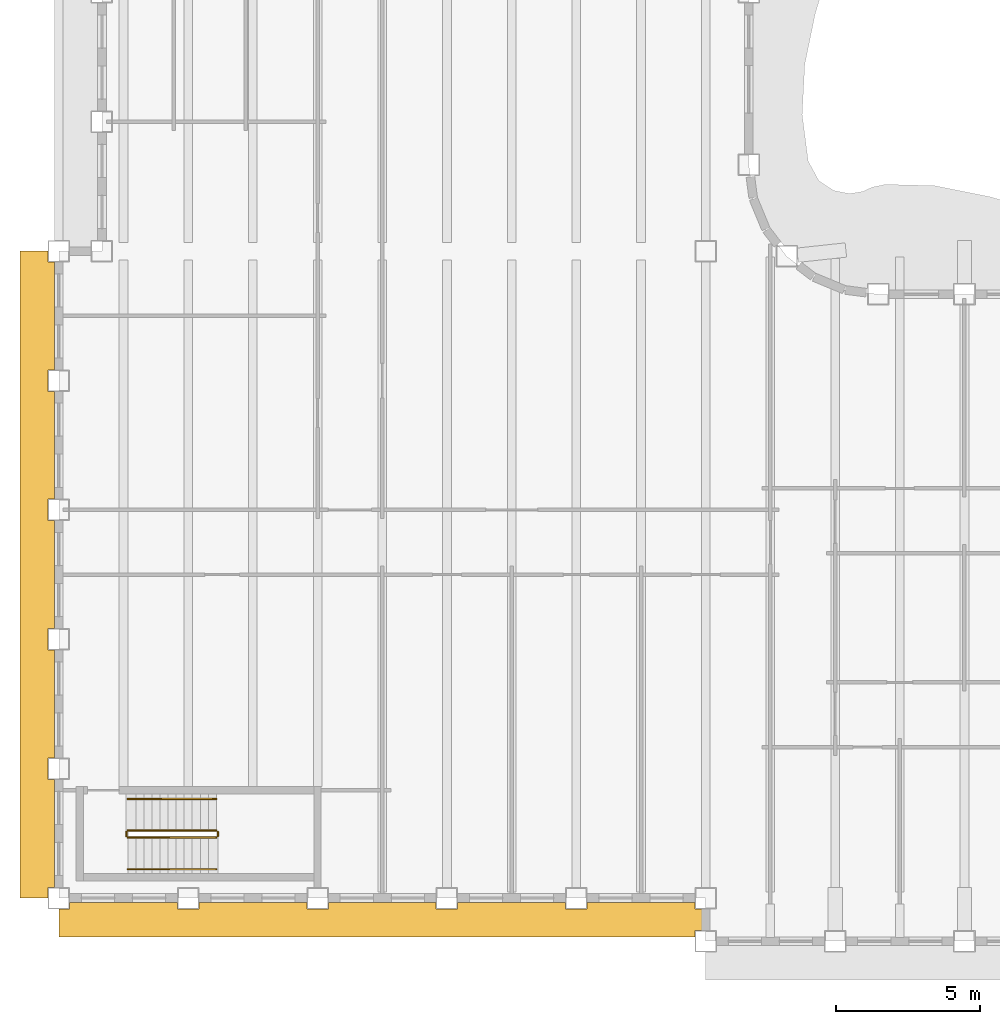
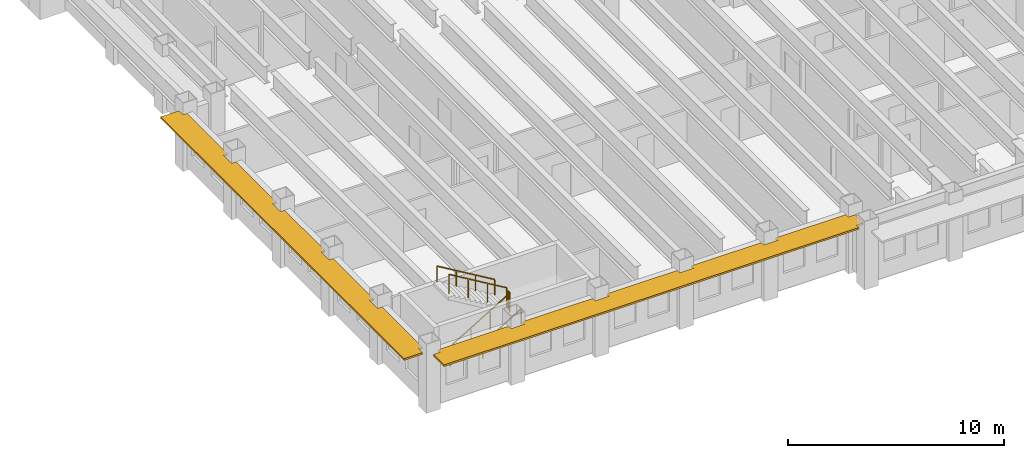
# One storey, part 11 of 16: 6 railings, 2 shading devices.
"""IFC4 building model written with IfcOpenShell, lengths in metres."""

from ifc_helpers import new_model, si_unit, direction, frame, origin, origin_2d, place, context, subcontext, project, spatial, polyline, rectangle, outline, extrude, material, layer, layer_set, type_object, element, save


model = new_model("IFC4")

# Units and contexts
model_context = context("Model", 3, precision=1e-05, world=origin(), true_north=direction((0.0, 1.0)))
body_context = subcontext(model_context, "Body", "Model", "MODEL_VIEW")
ifc_project = project(units=[si_unit("LENGTHUNIT", "METRE"), si_unit("AREAUNIT", "SQUARE_METRE"), si_unit("VOLUMEUNIT", "CUBIC_METRE"), si_unit("PLANEANGLEUNIT", "RADIAN"), si_unit("MASSUNIT", "GRAM", prefix="KILO")], contexts=[model_context])

# Site, building, storey
site_placement = place(None, origin())
site = spatial("IfcSite", under=ifc_project, at=site_placement, CompositionType="ELEMENT")
building_placement = place(site_placement, origin())
building = spatial("IfcBuilding", under=site, at=building_placement, Name="Sennacour Bend Tower", CompositionType="ELEMENT")
storey_placement = place(building_placement, frame((0.0, 0.0, 239.0)))
storey = spatial("IfcBuildingStorey", under=building, at=storey_placement, Name="L55", CompositionType="ELEMENT", Elevation=239.0)

# Railings
ifc_material_1 = material(Name="Stainless steel", Category="steel")
railing_type_1 = type_object("IfcRailingType", Name="RL-GUARD-1100", PredefinedType="GUARDRAIL", material=ifc_material_1)
railing_1_placement = place(storey_placement, frame((2.39990234375, 2.10009765625, 0.166748046875)))
element("IfcRailing", 1, at=railing_1_placement, inside=storey, type_object=railing_type_1, Name="L55 SK1 stair guard 1", PredefinedType="GUARDRAIL", context=body_context, shape_type="SweptSolid", body=[
    extrude(rectangle(XDim=0.048095703125, YDim=0.048095703125, at=origin_2d()), frame((0.0, 0.0, 1.076171875), z_axis=(0.859308565015, 0.0, 0.511457515432), x_axis=(0.0, 1.0, 0.0)), (0.0, 0.0, 1.0), 3.58447265625),
    extrude(rectangle(XDim=0.0419921875, YDim=0.0419921875, at=origin_2d()), origin(), (0.0, 0.0, 1.0), 1.052001953125),
    extrude(rectangle(XDim=0.0419921875, YDim=0.0419921875, at=origin_2d()), frame((1.026611328125, 0.0, 0.611083984375)), (0.0, 0.0, 1.0), 1.052001953125),
    extrude(rectangle(XDim=0.0419921875, YDim=0.0419921875, at=origin_2d()), frame((2.053466796875, 0.0, 1.22216796875)), (0.0, 0.0, 1.0), 1.052001953125),
    extrude(rectangle(XDim=0.0419921875, YDim=0.0419921875, at=origin_2d()), frame((3.080078125, 0.0, 1.833251953125)), (0.0, 0.0, 1.0), 1.052001953125),
])
railing_2_placement = place(storey_placement, frame((5.530029296875, 2.14990234375, 2.0)))
element("IfcRailing", 2, at=railing_2_placement, inside=storey, type_object=railing_type_1, Name="L55 SK1 stair guard 2", PredefinedType="GUARDRAIL", context=body_context, shape_type="SweptSolid", body=[
    extrude(rectangle(XDim=0.048095703125, YDim=0.048095703125, at=origin_2d()), frame((0.0, 0.0, 1.076171875), z_axis=(0.0, 1.0, 0.0), x_axis=(-1.0, 0.0, 0.0)), (0.0, 0.0, 1.0), 0.150146484375),
    extrude(rectangle(XDim=0.0419921875, YDim=0.0419921875, at=origin_2d()), origin(), (0.0, 0.0, 1.0), 1.052001953125),
    extrude(rectangle(XDim=0.0419921875, YDim=0.0419921875, at=origin_2d()), frame((0.0, 0.150146484375, 0.0)), (0.0, 0.0, 1.0), 1.052001953125),
])
railing_3_placement = place(storey_placement, frame((5.47998046875, 2.35009765625, 2.166748046875)))
element("IfcRailing", 3, at=railing_3_placement, inside=storey, type_object=railing_type_1, Name="L55 SK1 stair guard 3", PredefinedType="GUARDRAIL", context=body_context, shape_type="SweptSolid", body=[
    extrude(rectangle(XDim=0.048095703125, YDim=0.048095703125, at=origin_2d()), frame((0.0, 0.0, 1.076171875), z_axis=(-0.859308565015, 0.0, 0.511457515432), x_axis=(0.0, -1.0, 0.0)), (0.0, 0.0, 1.0), 3.58447265625),
    extrude(rectangle(XDim=0.0419921875, YDim=0.0419921875, at=origin_2d()), origin(), (0.0, 0.0, 1.0), 1.052001953125),
    extrude(rectangle(XDim=0.0419921875, YDim=0.0419921875, at=origin_2d()), frame((-1.026611328125, 0.0, 0.611083984375)), (0.0, 0.0, 1.0), 1.052001953125),
    extrude(rectangle(XDim=0.0419921875, YDim=0.0419921875, at=origin_2d()), frame((-2.053466796875, 0.0, 1.22216796875)), (0.0, 0.0, 1.0), 1.052001953125),
    extrude(rectangle(XDim=0.0419921875, YDim=0.0419921875, at=origin_2d()), frame((-3.080078125, 0.0, 1.833251953125)), (0.0, 0.0, 1.0), 1.052001953125),
])
railing_4_placement = place(storey_placement, frame((2.35009765625, 2.14990234375, 0.0)))
element("IfcRailing", 4, at=railing_4_placement, inside=storey, type_object=railing_type_1, Name="L55 SK1 stair guard 4", PredefinedType="GUARDRAIL", context=body_context, shape_type="SweptSolid", body=[
    extrude(rectangle(XDim=0.048095703125, YDim=0.048095703125, at=origin_2d()), frame((0.0, 0.0, 1.076171875), z_axis=(0.0, 1.0, 0.0), x_axis=(-1.0, 0.0, 0.0)), (0.0, 0.0, 1.0), 0.150146484375),
    extrude(rectangle(XDim=0.0419921875, YDim=0.0419921875, at=origin_2d()), origin(), (0.0, 0.0, 1.0), 1.052001953125),
    extrude(rectangle(XDim=0.0419921875, YDim=0.0419921875, at=origin_2d()), frame((0.0, 0.150146484375, 0.0)), (0.0, 0.0, 1.0), 1.052001953125),
])
railing_type_2 = type_object("IfcRailingType", Name="RL-HANDRAIL-900", PredefinedType="HANDRAIL", material=ifc_material_1)
railing_5_placement = place(storey_placement, frame((2.39990234375, 1.0, 0.166748046875)))
element("IfcRailing", 5, at=railing_5_placement, inside=storey, type_object=railing_type_2, Name="L55 SK1 stair handrail 1", PredefinedType="HANDRAIL", context=body_context, shape_type="SweptSolid", body=[
    extrude(rectangle(XDim=0.048095703125, YDim=0.048095703125, at=origin_2d()), frame((0.0, 0.0, 0.8759765625), z_axis=(0.859308565015, 0.0, 0.511457515432), x_axis=(0.0, 1.0, 0.0)), (0.0, 0.0, 1.0), 3.58447265625),
    extrude(rectangle(XDim=0.0419921875, YDim=0.0419921875, at=origin_2d()), origin(), (0.0, 0.0, 1.0), 0.851806640625),
    extrude(rectangle(XDim=0.0419921875, YDim=0.0419921875, at=origin_2d()), frame((1.026611328125, 0.0, 0.611083984375)), (0.0, 0.0, 1.0), 0.851806640625),
    extrude(rectangle(XDim=0.0419921875, YDim=0.0419921875, at=origin_2d()), frame((2.053466796875, 0.0, 1.22216796875)), (0.0, 0.0, 1.0), 0.851806640625),
    extrude(rectangle(XDim=0.0419921875, YDim=0.0419921875, at=origin_2d()), frame((3.080078125, 0.0, 1.833251953125)), (0.0, 0.0, 1.0), 0.851806640625),
])
railing_6_placement = place(storey_placement, frame((5.47998046875, 3.449951171875, 2.166748046875)))
element("IfcRailing", 6, at=railing_6_placement, inside=storey, type_object=railing_type_2, Name="L55 SK1 stair handrail 2", PredefinedType="HANDRAIL", context=body_context, shape_type="SweptSolid", body=[
    extrude(rectangle(XDim=0.048095703125, YDim=0.048095703125, at=origin_2d()), frame((0.0, 0.0, 0.8759765625), z_axis=(-0.859308565015, 0.0, 0.511457515432), x_axis=(0.0, -1.0, 0.0)), (0.0, 0.0, 1.0), 3.58447265625),
    extrude(rectangle(XDim=0.0419921875, YDim=0.0419921875, at=origin_2d()), origin(), (0.0, 0.0, 1.0), 0.851806640625),
    extrude(rectangle(XDim=0.0419921875, YDim=0.0419921875, at=origin_2d()), frame((-1.026611328125, 0.0, 0.611083984375)), (0.0, 0.0, 1.0), 0.851806640625),
    extrude(rectangle(XDim=0.0419921875, YDim=0.0419921875, at=origin_2d()), frame((-2.053466796875, 0.0, 1.22216796875)), (0.0, 0.0, 1.0), 0.851806640625),
    extrude(rectangle(XDim=0.0419921875, YDim=0.0419921875, at=origin_2d()), frame((-3.080078125, 0.0, 1.833251953125)), (0.0, 0.0, 1.0), 0.851806640625),
])

# Shading devices
ifc_material_2 = material(Name="Bronze anodised aluminium", Category="aluminium")
ifc_layer = layer(ifc_material_2, 0.10009765625, Name="Bronze anodised aluminium", Category="aluminium")
ifc_layer_set = layer_set([ifc_layer], Name="Bronze anodised aluminium")
shading_device_type = type_object("IfcShadingDeviceType", Name="SUNSHADE BAND STRAIGHT", PredefinedType="USERDEFINED", material=ifc_layer_set)
shading_device_1_placement = place(storey_placement, frame((0.0, 0.0, 2.95703125)))
element("IfcShadingDevice", 7, at=shading_device_1_placement, inside=storey, type_object=shading_device_type, Name="Sunshade band L55 K outer face", ObjectType="SUNSHADE", PredefinedType="USERDEFINED", context=body_context, shape_type="SweptSolid", body=[
    extrude(outline(polyline([(-0.14990234375, 18.375), (-0.375, 18.375), (-0.375, 17.625), (-0.14990234375, 17.625), (-0.14990234375, 13.875), (-0.375, 13.875), (-0.375, 13.125), (-0.14990234375, 13.125), (-0.14990234375, 9.375), (-0.375, 9.375), (-0.375, 8.625), (-0.14990234375, 8.625), (-0.14990234375, 4.875), (-0.375, 4.875), (-0.375, 4.125), (-0.14990234375, 4.125), (-0.14990234375, 0.375), (-0.375, 0.375), (-0.375, 0.0), (-1.35009765625, 0.0), (-1.35009765625, 22.5), (-0.375, 22.5), (-0.375, 22.125), (-0.14990234375, 22.125), (-0.14990234375, 18.375)])), origin(), (0.0, 0.0, 1.0), 0.099853515625),
])
shading_device_2_placement = place(storey_placement, frame((0.0, 0.0, 2.95703125)))
element("IfcShadingDevice", 8, at=shading_device_2_placement, inside=storey, type_object=shading_device_type, Name="Sunshade band L55 K outer face", ObjectType="SUNSHADE", PredefinedType="USERDEFINED", context=body_context, shape_type="SweptSolid", body=[
    extrude(outline(polyline([(4.125, -0.14990234375), (4.125, -0.375), (4.875, -0.375), (4.875, -0.14990234375), (8.625, -0.14990234375), (8.625, -0.375), (9.375, -0.375), (9.375, -0.14990234375), (13.125, -0.14990234375), (13.125, -0.375), (13.875, -0.375), (13.875, -0.14990234375), (17.625, -0.14990234375), (17.625, -0.375), (18.375, -0.375), (18.375, -0.14990234375), (22.125, -0.14990234375), (22.125, -0.375), (22.5, -0.375), (22.5, -1.125), (22.125, -1.125), (22.125, -1.35009765625), (0.0, -1.35009765625), (0.0, -0.375), (0.375, -0.375), (0.375, -0.14990234375), (4.125, -0.14990234375)])), origin(), (0.0, 0.0, 1.0), 0.099853515625),
])

save(model, "model.ifc")
